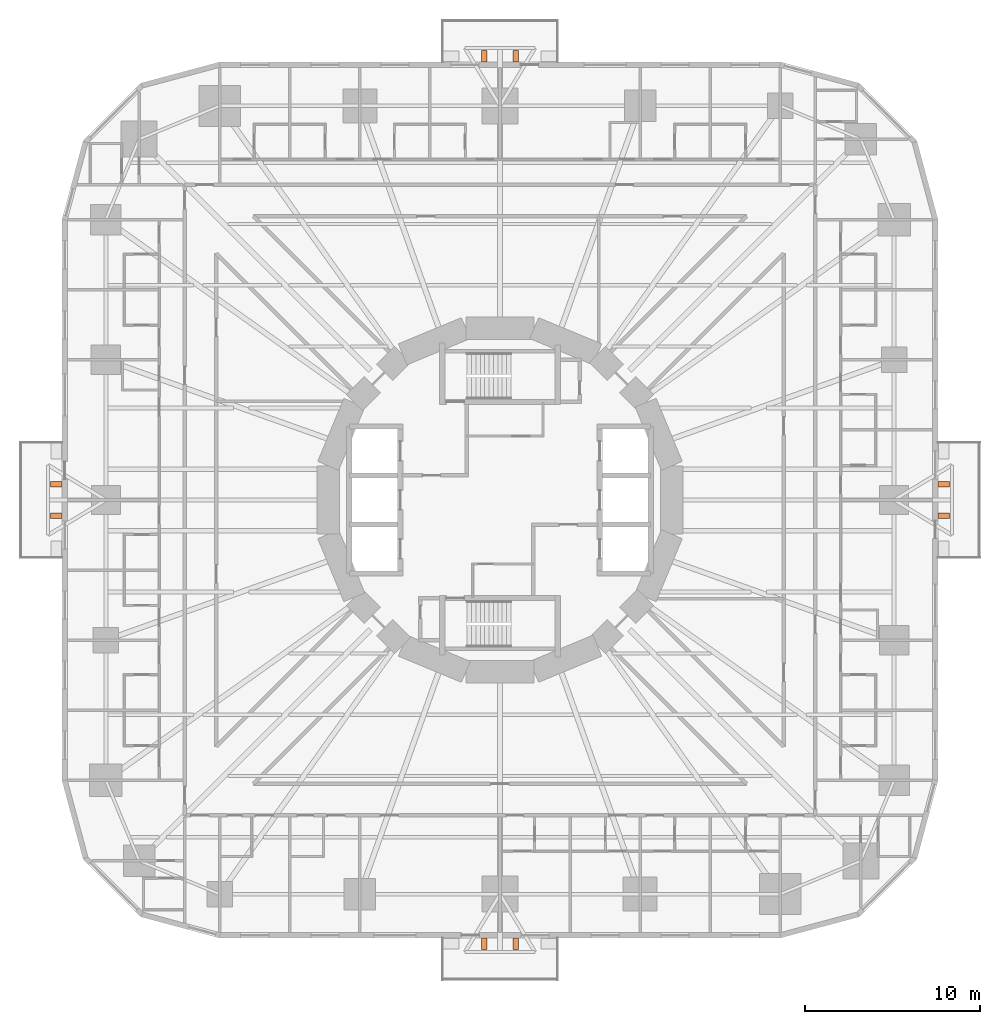
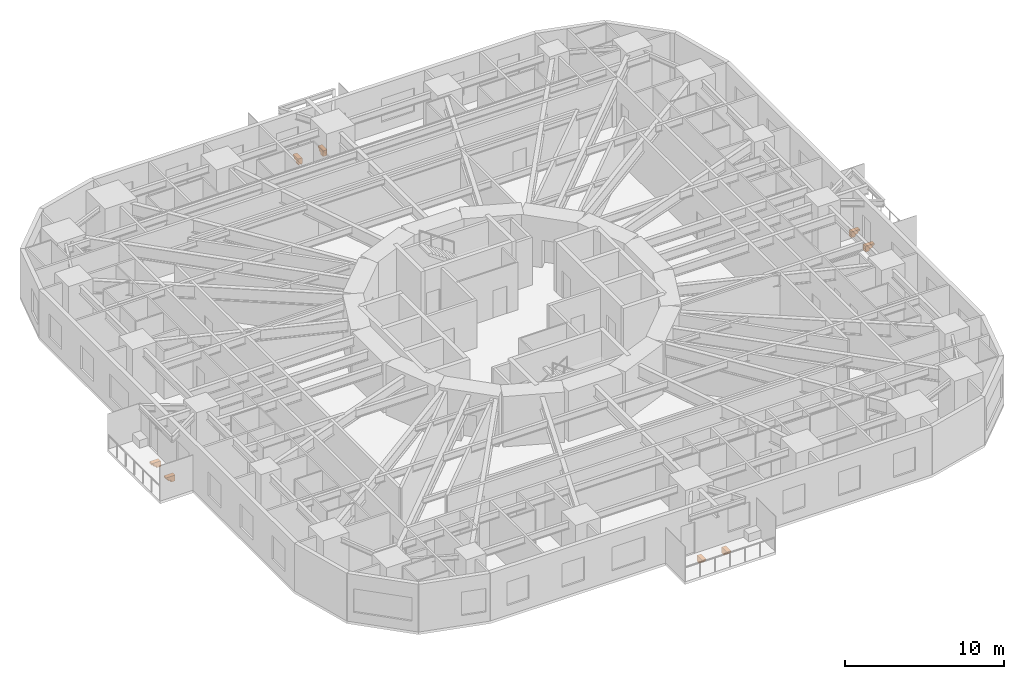
# One storey, part 14 of 14: 8 proxies.
"""IFC4 building model written with IfcOpenShell, lengths in metres."""

from ifc_helpers import new_model, si_unit, direction, frame, origin, place, context, subcontext, project, spatial, polyline, outline, extrude, material, type_object, element, save


model = new_model("IFC4")

# Units and contexts
model_context = context("Model", 3, precision=1e-05, world=origin(), true_north=direction((0.0, 1.0)))
body_context = subcontext(model_context, "Body", "Model", "MODEL_VIEW")
ifc_project = project(units=[si_unit("LENGTHUNIT", "METRE"), si_unit("AREAUNIT", "SQUARE_METRE"), si_unit("VOLUMEUNIT", "CUBIC_METRE"), si_unit("PLANEANGLEUNIT", "RADIAN"), si_unit("MASSUNIT", "GRAM", prefix="KILO")], contexts=[model_context])

# Site, building, storey
site_placement = place(None, origin())
site = spatial("IfcSite", under=ifc_project, at=site_placement, CompositionType="ELEMENT")
building_placement = place(site_placement, origin())
building = spatial("IfcBuilding", under=site, at=building_placement, Name="Nakasero Lantern House", CompositionType="ELEMENT")
storey_placement = place(building_placement, frame((0.0, 0.0, 31.39990234375)))
storey = spatial("IfcBuildingStorey", under=building, at=storey_placement, Name="L07", CompositionType="ELEMENT", Elevation=31.39990234375)

# Proxies
ifc_material = material(Name="Concrete C40/50 precast", Category="concrete")
building_element_proxy_type = type_object("IfcBuildingElementProxyType", Name="Balcony bracket 300", PredefinedType="USERDEFINED", material=ifc_material)
for number, where, z_axis, x_axis, name in (
    (1, (25.0, -0.89990234375, -0.199951171875), (0.0, 0.0, 1.0), (1.0, 0.0, 0.0), "Balcony bracket L07 0A"),
    (2, (25.0, 0.89990234375, -0.199951171875), (0.0, 0.0, 1.0), (1.0, 0.0, 0.0), "Balcony bracket L07 0B"),
    (3, (0.89990234375, 25.0, -0.199951171875), (0.0, 0.0, 1.0), (0.0, 1.0, 0.0), "Balcony bracket L07 1A"),
    (4, (-0.89990234375, 25.0, -0.199951171875), (0.0, 0.0, 1.0), (0.0, 1.0, 0.0), "Balcony bracket L07 1B"),
    (5, (-25.0, 0.89990234375, -0.199951171875), (0.0, 0.0, 1.0), (-1.0, 0.0, 0.0), "Balcony bracket L07 2A"),
    (6, (-25.0, -0.89990234375, -0.199951171875), (0.0, 0.0, 1.0), (-1.0, 0.0, 0.0), "Balcony bracket L07 2B"),
    (7, (-0.89990234375, -25.0, -0.199951171875), (0.0, 0.0, 1.0), (0.0, -1.0, 0.0), "Balcony bracket L07 3A"),
    (8, (0.89990234375, -25.0, -0.199951171875), (0.0, 0.0, 1.0), (0.0, -1.0, 0.0), "Balcony bracket L07 3B"),
):
    element("IfcBuildingElementProxy", number, at=place(storey_placement, frame(where, z_axis=z_axis, x_axis=x_axis)), inside=storey, type_object=building_element_proxy_type, Name=name, ObjectType="BALCONY BRACKET", PredefinedType="USERDEFINED", context=body_context, shape_type="SweptSolid", body=[
        extrude(outline(polyline([(0.0, 0.0), (0.64990234375, 0.0), (0.64990234375, -0.1201171875), (0.5, -0.1201171875), (0.5, -0.280029296875), (0.300048828125, -0.280029296875), (0.300048828125, -0.43994140625), (0.0, -0.43994140625), (0.0, 0.0)])), frame((0.0, 0.14990234375, 0.0), z_axis=(0.0, -1.0, 0.0), x_axis=(1.0, 0.0, 0.0)), (0.0, 0.0, 1.0), 0.300048828125),
    ])

save(model, "model.ifc")
